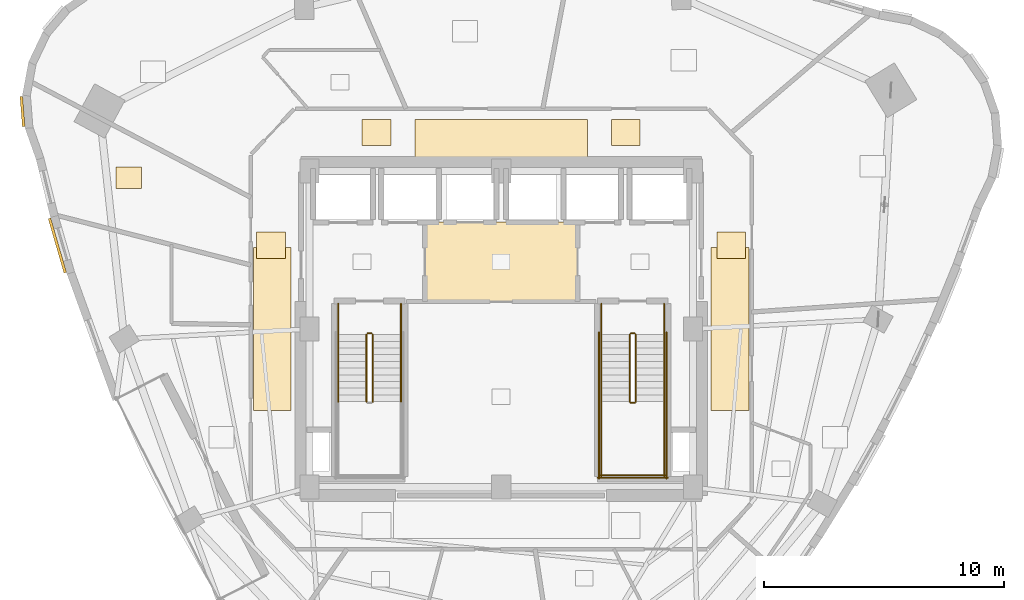
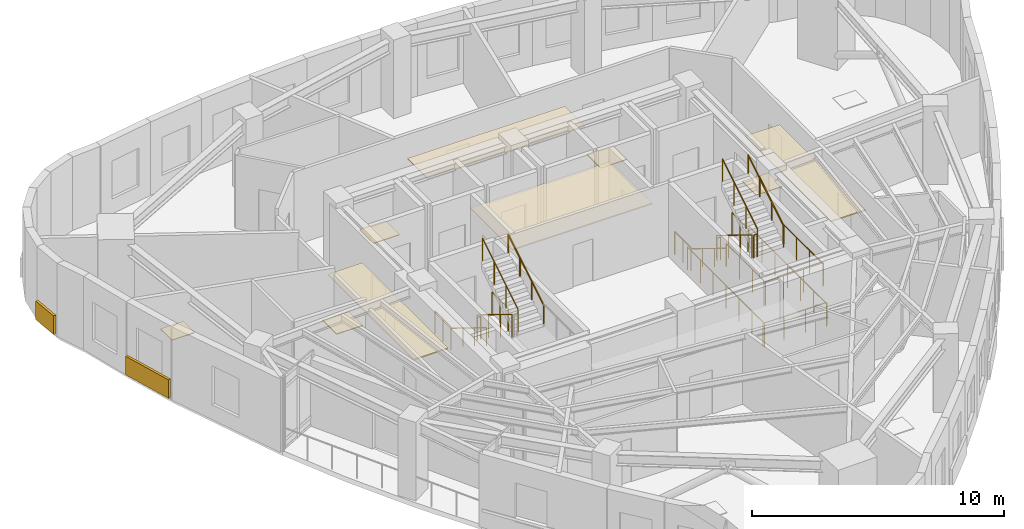
# One storey, part 12 of 13: 21 railings, 11 coverings.
"""IFC4 building model written with IfcOpenShell, lengths in metres."""

from ifc_helpers import new_model, si_unit, direction, frame, origin, origin_2d, place, context, subcontext, project, spatial, rectangle, circle, extrude, material, layer, layer_set, type_object, element, save


model = new_model("IFC4")

# Units and contexts
model_context = context("Model", 3, precision=1e-05, world=origin(), true_north=direction((0.0, 1.0)))
body_context = subcontext(model_context, "Body", "Model", "MODEL_VIEW")
ifc_project = project(units=[si_unit("LENGTHUNIT", "METRE"), si_unit("AREAUNIT", "SQUARE_METRE"), si_unit("VOLUMEUNIT", "CUBIC_METRE"), si_unit("PLANEANGLEUNIT", "RADIAN"), si_unit("MASSUNIT", "GRAM", prefix="KILO")], contexts=[model_context])

# Site, building, storey
site_placement = place(None, origin())
site = spatial("IfcSite", under=ifc_project, at=site_placement, CompositionType="ELEMENT")
building_placement = place(site_placement, origin())
building = spatial("IfcBuilding", under=site, at=building_placement, Name="Ndelora Gate Hotel", CompositionType="ELEMENT")
storey_placement = place(building_placement, frame((0.0, 0.0, 197.949951171875)))
storey = spatial("IfcBuildingStorey", under=building, at=storey_placement, Name="L49", CompositionType="ELEMENT", Elevation=197.949951171875)

# Coverings
ifc_material_1 = material(Name="Perforated Acoustic Gypsum Board", Category="gypsum")
ifc_layer_1 = layer(ifc_material_1, 0.054931640625)
ifc_layer_set_1 = layer_set([ifc_layer_1], Name="Perforated Acoustic Gypsum Board")
covering_type_1 = type_object("IfcCoveringType", Name="COV-CEIL-AC60", PredefinedType="CEILING", material=ifc_layer_set_1)
covering_1_placement = place(storey_placement, frame((0.0, 2.800048828125, 2.72265625), z_axis=(0.0, 0.0, 1.0), x_axis=(1.0, 0.0, 0.0)))
element("IfcCovering", 1, at=covering_1_placement, inside=storey, type_object=covering_type_1, Name="L49 Lift Lobby Acoustic Ceiling", PredefinedType="CEILING", context=body_context, shape_type="SweptSolid", body=[
    extrude(rectangle(XDim=6.39990234375, YDim=3.340087890625, at=origin_2d()), origin(), (0.0, 0.0, 1.0), 0.054931640625),
])
covering_2_placement = place(storey_placement, frame((0.0, 7.9599609375, 2.65234375), z_axis=(0.0, 0.0, 1.0), x_axis=(1.0, 0.0, 0.0)))
element("IfcCovering", 2, at=covering_2_placement, inside=storey, type_object=covering_type_1, Name="L49 Guest Corridor Acoustic Ceiling N", PredefinedType="CEILING", context=body_context, shape_type="SweptSolid", body=[
    extrude(rectangle(XDim=7.199951171875, YDim=1.580078125, at=origin_2d()), origin(), (0.0, 0.0, 1.0), 0.054931640625),
])
for number, where, z_axis, x_axis, name in (
    (3, (-9.550048828125, 0.0, 2.65234375), (0.0, 0.0, 1.0), (1.0, 0.0, 0.0), "L49 Guest Corridor Acoustic Ceiling W"),
    (4, (9.550048828125, 0.0, 2.65234375), (0.0, 0.0, 1.0), (1.0, 0.0, 0.0), "L49 Guest Corridor Acoustic Ceiling E"),
):
    element("IfcCovering", number, at=place(storey_placement, frame(where, z_axis=z_axis, x_axis=x_axis)), inside=storey, type_object=covering_type_1, Name=name, PredefinedType="CEILING", context=body_context, shape_type="SweptSolid", body=[
        extrude(rectangle(XDim=1.580078125, YDim=6.800048828125, at=origin_2d()), origin(), (0.0, 0.0, 1.0), 0.054931640625),
    ])
ifc_material_2 = material(Name="Terracotta Fired Clay Brick Slip Cladding", Category="masonry")
ifc_layer_2 = layer(ifc_material_2, 0.110107421875)
ifc_layer_set_2 = layer_set([ifc_layer_2], Name="Terracotta Fired Clay Brick Slip Cladding")
covering_type_2 = type_object("IfcCoveringType", Name="COV-CLAD-BRK", PredefinedType="CLADDING", material=ifc_layer_set_2)
covering_3_placement = place(storey_placement, frame((-19.97412109375, 9.070556640625, 0.10009765625), z_axis=(0.0, 0.0, 1.0), x_axis=(-0.078459095728, 0.996917333733, 0.0)))
element("IfcCovering", 5, at=covering_3_placement, inside=storey, type_object=covering_type_2, Name="L49 Rounded-Corner Brick Cladding Band 7", PredefinedType="CLADDING", context=body_context, shape_type="SweptSolid", body=[
    extrude(rectangle(XDim=1.257080078125, YDim=0.110107421875, at=origin_2d()), origin(), (0.0, 0.0, 1.0), 0.89990234375),
])
covering_4_placement = place(storey_placement, frame((-18.51953125, 3.484130859375, 0.10009765625), z_axis=(0.0, 0.0, 1.0), x_axis=(-0.278488259221, 0.960439633437, 0.0)))
element("IfcCovering", 6, at=covering_4_placement, inside=storey, type_object=covering_type_2, Name="L49 Rounded-Corner Brick Cladding Band 10", PredefinedType="CLADDING", context=body_context, shape_type="SweptSolid", body=[
    extrude(rectangle(XDim=2.35888671875, YDim=0.110107421875, at=origin_2d()), origin(), (0.0, 0.0, 1.0), 0.89990234375),
])
ifc_material_3 = material(Name="Engineered Highland Oak Parquet", Category="wood")
ifc_layer_3 = layer(ifc_material_3, 0.030029296875)
ifc_layer_set_3 = layer_set([ifc_layer_3], Name="Engineered Highland Oak Parquet")
covering_type_3 = type_object("IfcCoveringType", Name="COV-FLR-PARQ", PredefinedType="FLOORING", material=ifc_layer_set_3)
covering_5_placement = place(storey_placement, frame((-15.541748046875, 6.30517578125, 0.0), z_axis=(0.0, 0.0, 1.0), x_axis=(1.0, 0.0, 0.0)))
element("IfcCovering", 7, at=covering_5_placement, inside=storey, type_object=covering_type_3, Name="L49 Housekeeping and Linen Room Oak Parquet Flooring", PredefinedType="FLOORING", context=body_context, shape_type="SweptSolid", body=[
    extrude(rectangle(XDim=1.050048828125, YDim=0.89990234375, at=origin_2d()), origin(), (0.0, 0.0, 1.0), 0.030029296875),
])
ifc_material_4 = material(Name="Polished Highland Stone Terrazzo", Category="masonry")
ifc_layer_4 = layer(ifc_material_4, 0.034912109375)
ifc_layer_set_4 = layer_set([ifc_layer_4], Name="Polished Highland Stone Terrazzo")
covering_type_4 = type_object("IfcCoveringType", Name="COV-FLR-TERZ", PredefinedType="FLOORING", material=ifc_layer_set_4)
for number, where, z_axis, x_axis, name in (
    (8, (-5.199951171875, 8.199951171875, 0.0), (0.0, 0.0, 1.0), (1.0, 0.0, 0.0), "L49 Corridor Threshold Terrazzo Inlay NW"),
    (9, (5.199951171875, 8.199951171875, 0.0), (0.0, 0.0, 1.0), (1.0, 0.0, 0.0), "L49 Corridor Threshold Terrazzo Inlay NE"),
    (10, (-9.60009765625, 3.5, 0.0), (0.0, 0.0, 1.0), (1.0, 0.0, 0.0), "L49 Corridor Threshold Terrazzo Inlay W"),
    (11, (9.60009765625, 3.5, 0.0), (0.0, 0.0, 1.0), (1.0, 0.0, 0.0), "L49 Corridor Threshold Terrazzo Inlay E"),
):
    element("IfcCovering", number, at=place(storey_placement, frame(where, z_axis=z_axis, x_axis=x_axis)), inside=storey, type_object=covering_type_4, Name=name, PredefinedType="FLOORING", context=body_context, shape_type="SweptSolid", body=[
        extrude(rectangle(XDim=1.199951171875, YDim=1.10009765625, at=origin_2d()), origin(), (0.0, 0.0, 1.0), 0.034912109375),
    ])

# Railings
ifc_material_5 = material(Name="Painted Galvanized Steel Balustrade", Category="steel")
ifc_layer_5 = layer(ifc_material_5, 0.06005859375)
ifc_layer_set_5 = layer_set([ifc_layer_5], Name="Painted Galvanized Steel Balustrade")
railing_type_1 = type_object("IfcRailingType", Name="RL-STAIR-GD", PredefinedType="GUARDRAIL", material=ifc_layer_set_5)
railing_1_placement = place(storey_placement, frame((-5.6201171875, -0.22998046875, 0.1728515625)))
element("IfcRailing", 12, at=railing_1_placement, inside=storey, type_object=railing_type_1, Name="L49 ST4 stair guard 1", PredefinedType="GUARDRAIL", context=body_context, shape_type="SweptSolid", body=[
    extrude(circle(Radius=0.02392578125, at=origin_2d()), frame((0.0, 0.0, 1.10595703125), z_axis=(0.0, -0.851089632645, 0.525020415988), x_axis=(1.0, 0.0, 0.0)), (0.0, 0.0, 1.0), 3.2900390625),
    extrude(circle(Radius=0.02099609375, at=origin_2d()), origin(), (0.0, 0.0, 1.0), 1.081787109375),
    extrude(circle(Radius=0.02099609375, at=origin_2d()), frame((0.0, -0.933349609375, 0.57568359375)), (0.0, 0.0, 1.0), 1.081787109375),
    extrude(circle(Radius=0.02099609375, at=origin_2d()), frame((0.0, -1.86669921875, 1.151611328125)), (0.0, 0.0, 1.0), 1.081787109375),
    extrude(circle(Radius=0.02099609375, at=origin_2d()), frame((0.0, -2.800048828125, 1.727294921875)), (0.0, 0.0, 1.0), 1.081787109375),
])
railing_2_placement = place(storey_placement, frame((-5.360107421875, -3.030029296875, 2.07275390625)))
element("IfcRailing", 13, at=railing_2_placement, inside=storey, type_object=railing_type_1, Name="L49 ST4 stair guard 6", PredefinedType="GUARDRAIL", context=body_context, shape_type="SweptSolid", body=[
    extrude(circle(Radius=0.02392578125, at=origin_2d()), frame((0.0, 0.0, 1.10595703125), z_axis=(0.0, 0.851089632645, 0.525020415988), x_axis=(-1.0, 0.0, 0.0)), (0.0, 0.0, 1.0), 3.2900390625),
    extrude(circle(Radius=0.02099609375, at=origin_2d()), origin(), (0.0, 0.0, 1.0), 1.081787109375),
    extrude(circle(Radius=0.02099609375, at=origin_2d()), frame((0.0, 0.933349609375, 0.57568359375)), (0.0, 0.0, 1.0), 1.081787109375),
    extrude(circle(Radius=0.02099609375, at=origin_2d()), frame((0.0, 1.86669921875, 1.151611328125)), (0.0, 0.0, 1.0), 1.081787109375),
    extrude(circle(Radius=0.02099609375, at=origin_2d()), frame((0.0, 2.800048828125, 1.727294921875)), (0.0, 0.0, 1.0), 1.081787109375),
])
railing_3_placement = place(storey_placement, frame((-5.570068359375, -0.179931640625, 0.0)))
element("IfcRailing", 14, at=railing_3_placement, inside=storey, type_object=railing_type_1, Name="L49 ST4 stair guard 7", PredefinedType="GUARDRAIL", context=body_context, shape_type="SweptSolid", body=[
    extrude(circle(Radius=0.02392578125, at=origin_2d()), frame((0.0, 0.0, 1.10595703125), z_axis=(1.0, 0.0, 0.0), x_axis=(0.0, 1.0, 0.0)), (0.0, 0.0, 1.0), 0.16015625),
    extrude(circle(Radius=0.02099609375, at=origin_2d()), origin(), (0.0, 0.0, 1.0), 1.081787109375),
    extrude(circle(Radius=0.02099609375, at=origin_2d()), frame((0.16015625, 0.0, 0.0)), (0.0, 0.0, 1.0), 1.081787109375),
])
for number, where, name in (
    (15, (-6.800048828125, 1.050048828125, 0.0), "L49 ST4 stair guard 8"),
    (16, (-4.179931640625, 1.050048828125, 0.0), "L49 ST4 stair guard 9"),
):
    element("IfcRailing", number, at=place(storey_placement, frame(where)), inside=storey, type_object=railing_type_1, Name=name, PredefinedType="GUARDRAIL", context=body_context, shape_type="SweptSolid", body=[
        extrude(circle(Radius=0.02392578125, at=origin_2d()), frame((0.0, 0.0, 1.10595703125), z_axis=(0.0, -1.0, 0.0), x_axis=(1.0, 0.0, 0.0)), (0.0, 0.0, 1.0), 1.280029296875),
        extrude(circle(Radius=0.02099609375, at=origin_2d()), origin(), (0.0, 0.0, 1.0), 1.081787109375),
        extrude(circle(Radius=0.02099609375, at=origin_2d()), frame((0.0, -0.64013671875, 0.0)), (0.0, 0.0, 1.0), 1.081787109375),
        extrude(circle(Radius=0.02099609375, at=origin_2d()), frame((0.0, -1.280029296875, 0.0)), (0.0, 0.0, 1.0), 1.081787109375),
    ])
railing_4_placement = place(storey_placement, frame((5.360107421875, -0.22998046875, 0.1728515625)))
element("IfcRailing", 17, at=railing_4_placement, inside=storey, type_object=railing_type_1, Name="L49 ST5 stair guard 1", PredefinedType="GUARDRAIL", context=body_context, shape_type="SweptSolid", body=[
    extrude(circle(Radius=0.02392578125, at=origin_2d()), frame((0.0, 0.0, 1.10595703125), z_axis=(0.0, -0.851089632645, 0.525020415988), x_axis=(1.0, 0.0, 0.0)), (0.0, 0.0, 1.0), 3.2900390625),
    extrude(circle(Radius=0.02099609375, at=origin_2d()), origin(), (0.0, 0.0, 1.0), 1.081787109375),
    extrude(circle(Radius=0.02099609375, at=origin_2d()), frame((0.0, -0.933349609375, 0.57568359375)), (0.0, 0.0, 1.0), 1.081787109375),
    extrude(circle(Radius=0.02099609375, at=origin_2d()), frame((0.0, -1.86669921875, 1.151611328125)), (0.0, 0.0, 1.0), 1.081787109375),
    extrude(circle(Radius=0.02099609375, at=origin_2d()), frame((0.0, -2.800048828125, 1.727294921875)), (0.0, 0.0, 1.0), 1.081787109375),
])
railing_5_placement = place(storey_placement, frame((5.409912109375, -3.080078125, 1.900146484375)))
element("IfcRailing", 18, at=railing_5_placement, inside=storey, type_object=railing_type_1, Name="L49 ST5 stair guard 2", PredefinedType="GUARDRAIL", context=body_context, shape_type="SweptSolid", body=[
    extrude(circle(Radius=0.02392578125, at=origin_2d()), frame((0.0, 0.0, 1.10595703125), z_axis=(1.0, 0.0, 0.0), x_axis=(0.0, 1.0, 0.0)), (0.0, 0.0, 1.0), 0.16015625),
    extrude(circle(Radius=0.02099609375, at=origin_2d()), origin(), (0.0, 0.0, 1.0), 1.081787109375),
    extrude(circle(Radius=0.02099609375, at=origin_2d()), frame((0.16015625, 0.0, 0.0)), (0.0, 0.0, 1.0), 1.081787109375),
])
for number, where, name in (
    (19, (4.179931640625, -3.030029296875, 1.900146484375), "L49 ST5 stair guard 3"),
    (20, (6.800048828125, -3.030029296875, 1.900146484375), "L49 ST5 stair guard 4"),
):
    element("IfcRailing", number, at=place(storey_placement, frame(where)), inside=storey, type_object=railing_type_1, Name=name, PredefinedType="GUARDRAIL", context=body_context, shape_type="SweptSolid", body=[
        extrude(circle(Radius=0.02392578125, at=origin_2d()), frame((0.0, 0.0, 1.10595703125), z_axis=(0.0, -1.0, 0.0), x_axis=(1.0, 0.0, 0.0)), (0.0, 0.0, 1.0), 3.119873046875),
        extrude(circle(Radius=0.02099609375, at=origin_2d()), origin(), (0.0, 0.0, 1.0), 1.081787109375),
        extrude(circle(Radius=0.02099609375, at=origin_2d()), frame((0.0, -1.0400390625, 0.0)), (0.0, 0.0, 1.0), 1.081787109375),
        extrude(circle(Radius=0.02099609375, at=origin_2d()), frame((0.0, -2.079833984375, 0.0)), (0.0, 0.0, 1.0), 1.081787109375),
        extrude(circle(Radius=0.02099609375, at=origin_2d()), frame((0.0, -3.119873046875, 0.0)), (0.0, 0.0, 1.0), 1.081787109375),
    ])
railing_6_placement = place(storey_placement, frame((4.1298828125, -6.10009765625, 1.900146484375)))
element("IfcRailing", 21, at=railing_6_placement, inside=storey, type_object=railing_type_1, Name="L49 ST5 stair guard 5", PredefinedType="GUARDRAIL", context=body_context, shape_type="SweptSolid", body=[
    extrude(circle(Radius=0.02392578125, at=origin_2d()), frame((0.0, 0.0, 1.10595703125), z_axis=(1.0, 0.0, 0.0), x_axis=(0.0, 1.0, 0.0)), (0.0, 0.0, 1.0), 2.72021484375),
    extrude(circle(Radius=0.02099609375, at=origin_2d()), origin(), (0.0, 0.0, 1.0), 1.081787109375),
    extrude(circle(Radius=0.02099609375, at=origin_2d()), frame((0.90673828125, 0.0, 0.0)), (0.0, 0.0, 1.0), 1.081787109375),
    extrude(circle(Radius=0.02099609375, at=origin_2d()), frame((1.8134765625, 0.0, 0.0)), (0.0, 0.0, 1.0), 1.081787109375),
    extrude(circle(Radius=0.02099609375, at=origin_2d()), frame((2.72021484375, 0.0, 0.0)), (0.0, 0.0, 1.0), 1.081787109375),
])
railing_7_placement = place(storey_placement, frame((5.6201171875, -3.030029296875, 2.07275390625)))
element("IfcRailing", 22, at=railing_7_placement, inside=storey, type_object=railing_type_1, Name="L49 ST5 stair guard 6", PredefinedType="GUARDRAIL", context=body_context, shape_type="SweptSolid", body=[
    extrude(circle(Radius=0.02392578125, at=origin_2d()), frame((0.0, 0.0, 1.10595703125), z_axis=(0.0, 0.851089632645, 0.525020415988), x_axis=(-1.0, 0.0, 0.0)), (0.0, 0.0, 1.0), 3.2900390625),
    extrude(circle(Radius=0.02099609375, at=origin_2d()), origin(), (0.0, 0.0, 1.0), 1.081787109375),
    extrude(circle(Radius=0.02099609375, at=origin_2d()), frame((0.0, 0.933349609375, 0.57568359375)), (0.0, 0.0, 1.0), 1.081787109375),
    extrude(circle(Radius=0.02099609375, at=origin_2d()), frame((0.0, 1.86669921875, 1.151611328125)), (0.0, 0.0, 1.0), 1.081787109375),
    extrude(circle(Radius=0.02099609375, at=origin_2d()), frame((0.0, 2.800048828125, 1.727294921875)), (0.0, 0.0, 1.0), 1.081787109375),
])
railing_8_placement = place(storey_placement, frame((5.409912109375, -0.179931640625, 0.0)))
element("IfcRailing", 23, at=railing_8_placement, inside=storey, type_object=railing_type_1, Name="L49 ST5 stair guard 7", PredefinedType="GUARDRAIL", context=body_context, shape_type="SweptSolid", body=[
    extrude(circle(Radius=0.02392578125, at=origin_2d()), frame((0.0, 0.0, 1.10595703125), z_axis=(1.0, 0.0, 0.0), x_axis=(0.0, 1.0, 0.0)), (0.0, 0.0, 1.0), 0.16015625),
    extrude(circle(Radius=0.02099609375, at=origin_2d()), origin(), (0.0, 0.0, 1.0), 1.081787109375),
    extrude(circle(Radius=0.02099609375, at=origin_2d()), frame((0.16015625, 0.0, 0.0)), (0.0, 0.0, 1.0), 1.081787109375),
])
for number, where, name in (
    (24, (4.179931640625, 1.050048828125, 0.0), "L49 ST5 stair guard 8"),
    (25, (6.800048828125, 1.050048828125, 0.0), "L49 ST5 stair guard 9"),
):
    element("IfcRailing", number, at=place(storey_placement, frame(where)), inside=storey, type_object=railing_type_1, Name=name, PredefinedType="GUARDRAIL", context=body_context, shape_type="SweptSolid", body=[
        extrude(circle(Radius=0.02392578125, at=origin_2d()), frame((0.0, 0.0, 1.10595703125), z_axis=(0.0, -1.0, 0.0), x_axis=(1.0, 0.0, 0.0)), (0.0, 0.0, 1.0), 1.280029296875),
        extrude(circle(Radius=0.02099609375, at=origin_2d()), origin(), (0.0, 0.0, 1.0), 1.081787109375),
        extrude(circle(Radius=0.02099609375, at=origin_2d()), frame((0.0, -0.64013671875, 0.0)), (0.0, 0.0, 1.0), 1.081787109375),
        extrude(circle(Radius=0.02099609375, at=origin_2d()), frame((0.0, -1.280029296875, 0.0)), (0.0, 0.0, 1.0), 1.081787109375),
    ])
for number, where, name in (
    (26, (4.080078125, -0.1298828125, 0.0), "L49 ST5 stair guard 10"),
    (27, (6.89990234375, -0.1298828125, 0.0), "L49 ST5 stair guard 11"),
):
    element("IfcRailing", number, at=place(storey_placement, frame(where)), inside=storey, type_object=railing_type_1, Name=name, PredefinedType="GUARDRAIL", context=body_context, shape_type="SweptSolid", body=[
        extrude(circle(Radius=0.02392578125, at=origin_2d()), frame((0.0, 0.0, 1.10595703125), z_axis=(0.0, -1.0, 0.0), x_axis=(1.0, 0.0, 0.0)), (0.0, 0.0, 1.0), 6.1201171875),
        extrude(circle(Radius=0.02099609375, at=origin_2d()), origin(), (0.0, 0.0, 1.0), 1.081787109375),
        extrude(circle(Radius=0.02099609375, at=origin_2d()), frame((0.0, -1.02001953125, 0.0)), (0.0, 0.0, 1.0), 1.081787109375),
        extrude(circle(Radius=0.02099609375, at=origin_2d()), frame((0.0, -2.0400390625, 0.0)), (0.0, 0.0, 1.0), 1.081787109375),
        extrude(circle(Radius=0.02099609375, at=origin_2d()), frame((0.0, -3.06005859375, 0.0)), (0.0, 0.0, 1.0), 1.081787109375),
        extrude(circle(Radius=0.02099609375, at=origin_2d()), frame((0.0, -4.080078125, 0.0)), (0.0, 0.0, 1.0), 1.081787109375),
        extrude(circle(Radius=0.02099609375, at=origin_2d()), frame((0.0, -5.10009765625, 0.0)), (0.0, 0.0, 1.0), 1.081787109375),
        extrude(circle(Radius=0.02099609375, at=origin_2d()), frame((0.0, -6.1201171875, 0.0)), (0.0, 0.0, 1.0), 1.081787109375),
    ])
railing_9_placement = place(storey_placement, frame((4.030029296875, -6.199951171875, 0.0)))
element("IfcRailing", 28, at=railing_9_placement, inside=storey, type_object=railing_type_1, Name="L49 ST5 stair guard 12", PredefinedType="GUARDRAIL", context=body_context, shape_type="SweptSolid", body=[
    extrude(circle(Radius=0.02392578125, at=origin_2d()), frame((0.0, 0.0, 1.10595703125), z_axis=(1.0, 0.0, 0.0), x_axis=(0.0, 1.0, 0.0)), (0.0, 0.0, 1.0), 2.919921875),
    extrude(circle(Radius=0.02099609375, at=origin_2d()), origin(), (0.0, 0.0, 1.0), 1.081787109375),
    extrude(circle(Radius=0.02099609375, at=origin_2d()), frame((0.973388671875, 0.0, 0.0)), (0.0, 0.0, 1.0), 1.081787109375),
    extrude(circle(Radius=0.02099609375, at=origin_2d()), frame((1.946533203125, 0.0, 0.0)), (0.0, 0.0, 1.0), 1.081787109375),
    extrude(circle(Radius=0.02099609375, at=origin_2d()), frame((2.919921875, 0.0, 0.0)), (0.0, 0.0, 1.0), 1.081787109375),
])
ifc_material_6 = material(Name="Brushed Stainless Steel 316", Category="steel")
ifc_layer_6 = layer(ifc_material_6, 0.050048828125)
ifc_layer_set_6 = layer_set([ifc_layer_6], Name="Brushed Stainless Steel 316")
railing_type_2 = type_object("IfcRailingType", Name="RL-STAIR-HR", PredefinedType="HANDRAIL", material=ifc_layer_set_6)
railing_10_placement = place(storey_placement, frame((-6.800048828125, -0.22998046875, 0.1728515625)))
element("IfcRailing", 29, at=railing_10_placement, inside=storey, type_object=railing_type_2, Name="L49 ST4 stair handrail 1", PredefinedType="HANDRAIL", context=body_context, shape_type="SweptSolid", body=[
    extrude(circle(Radius=0.02392578125, at=origin_2d()), frame((0.0, 0.0, 0.8759765625), z_axis=(0.0, -0.851089632645, 0.525020415988), x_axis=(1.0, 0.0, 0.0)), (0.0, 0.0, 1.0), 3.2900390625),
    extrude(circle(Radius=0.02099609375, at=origin_2d()), origin(), (0.0, 0.0, 1.0), 0.851806640625),
    extrude(circle(Radius=0.02099609375, at=origin_2d()), frame((0.0, -0.933349609375, 0.57568359375)), (0.0, 0.0, 1.0), 0.851806640625),
    extrude(circle(Radius=0.02099609375, at=origin_2d()), frame((0.0, -1.86669921875, 1.151611328125)), (0.0, 0.0, 1.0), 0.851806640625),
    extrude(circle(Radius=0.02099609375, at=origin_2d()), frame((0.0, -2.800048828125, 1.727294921875)), (0.0, 0.0, 1.0), 0.851806640625),
])
railing_11_placement = place(storey_placement, frame((-4.179931640625, -3.030029296875, 2.07275390625)))
element("IfcRailing", 30, at=railing_11_placement, inside=storey, type_object=railing_type_2, Name="L49 ST4 stair handrail 2", PredefinedType="HANDRAIL", context=body_context, shape_type="SweptSolid", body=[
    extrude(circle(Radius=0.02392578125, at=origin_2d()), frame((0.0, 0.0, 0.8759765625), z_axis=(0.0, 0.851089632645, 0.525020415988), x_axis=(-1.0, 0.0, 0.0)), (0.0, 0.0, 1.0), 3.2900390625),
    extrude(circle(Radius=0.02099609375, at=origin_2d()), origin(), (0.0, 0.0, 1.0), 0.851806640625),
    extrude(circle(Radius=0.02099609375, at=origin_2d()), frame((0.0, 0.933349609375, 0.57568359375)), (0.0, 0.0, 1.0), 0.851806640625),
    extrude(circle(Radius=0.02099609375, at=origin_2d()), frame((0.0, 1.86669921875, 1.151611328125)), (0.0, 0.0, 1.0), 0.851806640625),
    extrude(circle(Radius=0.02099609375, at=origin_2d()), frame((0.0, 2.800048828125, 1.727294921875)), (0.0, 0.0, 1.0), 0.851806640625),
])
railing_12_placement = place(storey_placement, frame((4.179931640625, -0.22998046875, 0.1728515625)))
element("IfcRailing", 31, at=railing_12_placement, inside=storey, type_object=railing_type_2, Name="L49 ST5 stair handrail 1", PredefinedType="HANDRAIL", context=body_context, shape_type="SweptSolid", body=[
    extrude(circle(Radius=0.02392578125, at=origin_2d()), frame((0.0, 0.0, 0.8759765625), z_axis=(0.0, -0.851089632645, 0.525020415988), x_axis=(1.0, 0.0, 0.0)), (0.0, 0.0, 1.0), 3.2900390625),
    extrude(circle(Radius=0.02099609375, at=origin_2d()), origin(), (0.0, 0.0, 1.0), 0.851806640625),
    extrude(circle(Radius=0.02099609375, at=origin_2d()), frame((0.0, -0.933349609375, 0.57568359375)), (0.0, 0.0, 1.0), 0.851806640625),
    extrude(circle(Radius=0.02099609375, at=origin_2d()), frame((0.0, -1.86669921875, 1.151611328125)), (0.0, 0.0, 1.0), 0.851806640625),
    extrude(circle(Radius=0.02099609375, at=origin_2d()), frame((0.0, -2.800048828125, 1.727294921875)), (0.0, 0.0, 1.0), 0.851806640625),
])
railing_13_placement = place(storey_placement, frame((6.800048828125, -3.030029296875, 2.07275390625)))
element("IfcRailing", 32, at=railing_13_placement, inside=storey, type_object=railing_type_2, Name="L49 ST5 stair handrail 2", PredefinedType="HANDRAIL", context=body_context, shape_type="SweptSolid", body=[
    extrude(circle(Radius=0.02392578125, at=origin_2d()), frame((0.0, 0.0, 0.8759765625), z_axis=(0.0, 0.851089632645, 0.525020415988), x_axis=(-1.0, 0.0, 0.0)), (0.0, 0.0, 1.0), 3.2900390625),
    extrude(circle(Radius=0.02099609375, at=origin_2d()), origin(), (0.0, 0.0, 1.0), 0.851806640625),
    extrude(circle(Radius=0.02099609375, at=origin_2d()), frame((0.0, 0.933349609375, 0.57568359375)), (0.0, 0.0, 1.0), 0.851806640625),
    extrude(circle(Radius=0.02099609375, at=origin_2d()), frame((0.0, 1.86669921875, 1.151611328125)), (0.0, 0.0, 1.0), 0.851806640625),
    extrude(circle(Radius=0.02099609375, at=origin_2d()), frame((0.0, 2.800048828125, 1.727294921875)), (0.0, 0.0, 1.0), 0.851806640625),
])

save(model, "model.ifc")
